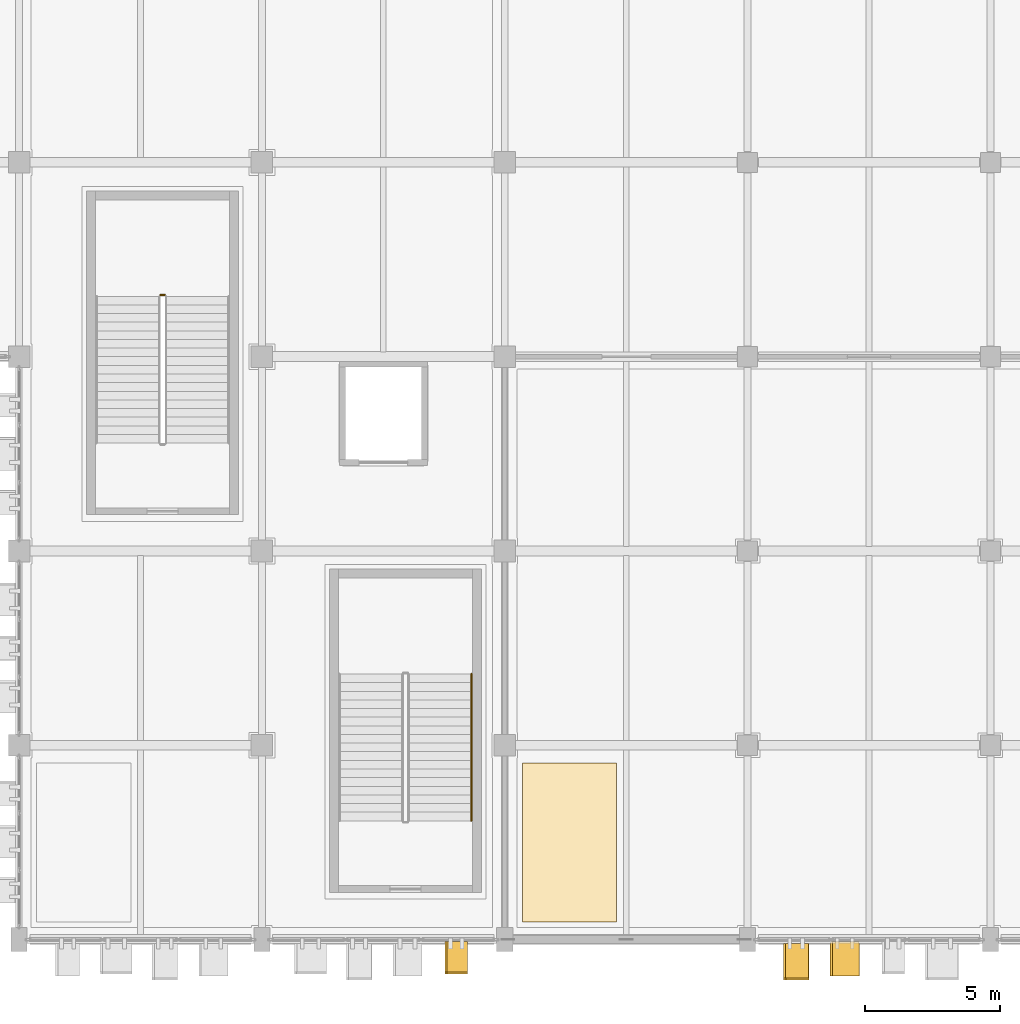
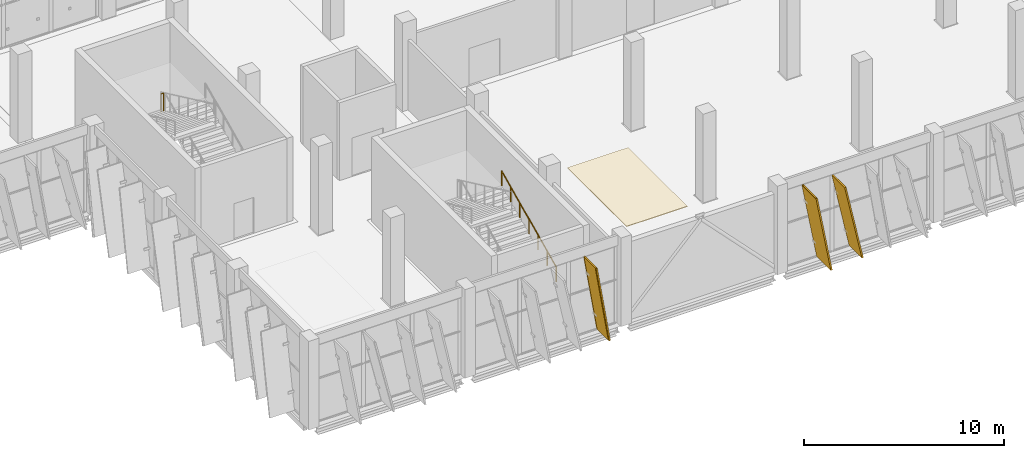
# One storey, part 117 of 137: 4 coverings, 3 shading devices, 2 railings.
"""IFC4 building model written with IfcOpenShell, lengths in metres."""

from ifc_helpers import new_model, si_unit, direction, frame, origin, origin_2d, place, context, subcontext, project, spatial, polyline, rectangle, circle, outline, extrude, material, layer, layer_set, material_profile, profile_set, type_object, element, save


model = new_model("IFC4")

# Units and contexts
model_context = context("Model", 3, precision=1e-05, world=origin(), true_north=direction((0.0, 1.0)))
body_context = subcontext(model_context, "Body", "Model", "MODEL_VIEW")
ifc_project = project(units=[si_unit("LENGTHUNIT", "METRE"), si_unit("AREAUNIT", "SQUARE_METRE"), si_unit("VOLUMEUNIT", "CUBIC_METRE"), si_unit("PLANEANGLEUNIT", "RADIAN"), si_unit("MASSUNIT", "GRAM", prefix="KILO")], contexts=[model_context])

# Site, building, storey
site_placement = place(None, origin())
site = spatial("IfcSite", under=ifc_project, at=site_placement, CompositionType="ELEMENT")
building_placement = place(site_placement, origin())
building = spatial("IfcBuilding", under=site, at=building_placement, Name="Celestram Park Convention Centre", CompositionType="ELEMENT")
storey_placement = place(building_placement, origin())
storey = spatial("IfcBuildingStorey", under=building, at=storey_placement, Name="L00", CompositionType="ELEMENT", Elevation=0.0)

# Coverings
ifc_material_1 = material(Name="Perforated Acoustic Mineral-Fibre Baffle Ceiling", Category="gypsum")
ifc_layer_1 = layer(ifc_material_1, 0.0400390625)
ifc_layer_set_1 = layer_set([ifc_layer_1], Name="Perforated Acoustic Mineral-Fibre Baffle Ceiling")
covering_type_1 = type_object("IfcCoveringType", Name="ARC-COV-CLG040", PredefinedType="CEILING", material=ifc_layer_set_1)
covering_1_placement = place(storey_placement, frame((0.0, 0.0, 5.080078125)))
element("IfcCovering", 1, at=covering_1_placement, inside=storey, type_object=covering_type_1, Name="Civic Symposium Hall S1 acoustic baffle ceiling", PredefinedType="CEILING", context=body_context, shape_type="SweptSolid", body=[
    extrude(outline(polyline([(162.64990234375, 0.64990234375), (166.14990234375, 0.64990234375), (166.14990234375, 6.550048828125), (162.64990234375, 6.550048828125), (162.64990234375, 0.64990234375)])), origin(), (0.0, 0.0, 1.0), 0.0400390625),
])
ifc_material_2 = material(Name="Timber-Toned Anodised Aluminium Alloy 6063-T6", Category="wood")
ifc_material_profile_1 = material_profile(ifc_material_2, rectangle(XDim=1.1201171875, YDim=0.090087890625, at=origin_2d()), Name="REED1120X90")
ifc_profile_set_1 = profile_set([ifc_material_profile_1], Name="Timber-Toned Anodised Aluminium Alloy 6063-T6")
covering_type_2 = type_object("IfcCoveringType", Name="ARC-COV-FIN1120", PredefinedType="CLADDING", material=ifc_profile_set_1)
covering_2_placement = place(storey_placement, frame((160.57861328125, -0.639892578125, 0.035400390625), z_axis=(-0.159875708608, 0.0, 0.987137152475), x_axis=(0.0, -1.0, 0.0)))
element("IfcCovering", 2, at=covering_2_placement, inside=storey, type_object=covering_type_2, Name="Leaning timber-toned reed fin RFN-L00-0103", PredefinedType="CLADDING", context=body_context, shape_type="SweptSolid", body=[
    extrude(rectangle(XDim=1.1201171875, YDim=0.090087890625, at=origin_2d()), origin(), (0.0, 0.0, 1.0), 4.737060546875),
])
ifc_material_profile_2 = material_profile(ifc_material_2, rectangle(XDim=1.280029296875, YDim=0.090087890625, at=origin_2d()), Name="REED1280X90")
ifc_profile_set_2 = profile_set([ifc_material_profile_2], Name="Timber-Toned Anodised Aluminium Alloy 6063-T6")
covering_type_3 = type_object("IfcCoveringType", Name="ARC-COV-FIN1280", PredefinedType="CLADDING", material=ifc_profile_set_2)
covering_3_placement = place(storey_placement, frame((175.096435546875, -0.719970703125, 0.0576171875), z_axis=(-0.209606521321, 0.0, 0.977785818173), x_axis=(0.0, -1.0, 0.0)))
element("IfcCovering", 3, at=covering_3_placement, inside=storey, type_object=covering_type_3, Name="Leaning timber-toned reed fin RFN-L00-0101", PredefinedType="CLADDING", context=body_context, shape_type="SweptSolid", body=[
    extrude(rectangle(XDim=1.280029296875, YDim=0.090087890625, at=origin_2d()), origin(), (0.0, 0.0, 1.0), 4.737060546875),
])
ifc_material_profile_3 = material_profile(ifc_material_2, rectangle(XDim=1.419921875, YDim=0.090087890625, at=origin_2d()), Name="REED1420X90")
ifc_profile_set_3 = profile_set([ifc_material_profile_3], Name="Timber-Toned Anodised Aluminium Alloy 6063-T6")
covering_type_4 = type_object("IfcCoveringType", Name="ARC-COV-FIN1420", PredefinedType="CLADDING", material=ifc_profile_set_3)
covering_4_placement = place(storey_placement, frame((173.2275390625, -0.7900390625, 0.0439453125), z_axis=(-0.180540613043, 0.0, 0.983567530494), x_axis=(0.0, -1.0, 0.0)))
element("IfcCovering", 4, at=covering_4_placement, inside=storey, type_object=covering_type_4, Name="Leaning timber-toned reed fin RFN-L00-0102", PredefinedType="CLADDING", context=body_context, shape_type="SweptSolid", body=[
    extrude(rectangle(XDim=1.419921875, YDim=0.090087890625, at=origin_2d()), origin(), (0.0, 0.0, 1.0), 4.737060546875),
])

# Shading devices
ifc_material_3 = material(Name="Anodised Bronze Aluminium Alloy 6063-T6", Category="aluminium")
ifc_material_profile_4 = material_profile(ifc_material_3, rectangle(XDim=1.280029296875, YDim=0.080078125, at=origin_2d()), Name="FIN1280X80")
ifc_profile_set_4 = profile_set([ifc_material_profile_4], Name="Anodised Bronze Aluminium Alloy 6063-T6")
shading_device_type = type_object("IfcShadingDeviceType", Name="ARC-FIN-BZ1280", PredefinedType="USERDEFINED", material=ifc_profile_set_4)
for number, where, z_axis, x_axis, name in (
    (5, (175.096435546875, -0.719970703125, 0.0576171875), (-0.209606521321, 0.0, 0.977785818173), (0.0, -1.0, 0.0), "Expressive solar fin FN-L00-0101"),
    (6, (173.2275390625, -0.7900390625, 0.0439453125), (-0.180540613043, 0.0, 0.983567530494), (0.0, -1.0, 0.0), "Expressive solar fin FN-L00-0102"),
    (7, (160.57861328125, -0.639892578125, 0.035400390625), (-0.159875708608, 0.0, 0.987137152475), (0.0, -1.0, 0.0), "Expressive solar fin FN-L00-0103"),
):
    element("IfcShadingDevice", number, at=place(storey_placement, frame(where, z_axis=z_axis, x_axis=x_axis)), inside=storey, type_object=shading_device_type, Name=name, ObjectType="SOLAR_FIN", PredefinedType="USERDEFINED", context=body_context, shape_type="SweptSolid", body=[
        extrude(rectangle(XDim=1.280029296875, YDim=0.080078125, at=origin_2d()), origin(), (0.0, 0.0, 1.0), 4.737060546875),
    ])

# Railings
ifc_material_4 = material(Name="Stainless Steel AISI 316L & Laminated Glass", Category="steel")
ifc_layer_2 = layer(ifc_material_4, 0.06005859375)
ifc_layer_set_2 = layer_set([ifc_layer_2], Name="Stainless Steel AISI 316L & Laminated Glass")
railing_type_1 = type_object("IfcRailingType", Name="ARC-RL-GRD1120", PredefinedType="GUARDRAIL", material=ifc_layer_set_2)
railing_1_placement = place(storey_placement, frame((149.39990234375, 23.889892578125, 2.699951171875)))
element("IfcRailing", 8, at=railing_1_placement, inside=storey, type_object=railing_type_1, Name="L00 ST-06 stair guard 2", PredefinedType="GUARDRAIL", context=body_context, shape_type="SweptSolid", body=[
    extrude(circle(Radius=0.02392578125, at=origin_2d()), frame((0.0, 0.0, 1.09619140625), z_axis=(-1.0, 0.0, 0.0), x_axis=(0.0, -1.0, 0.0)), (0.0, 0.0, 1.0), 0.159912109375),
    extrude(circle(Radius=0.02099609375, at=origin_2d()), origin(), (0.0, 0.0, 1.0), 1.072021484375),
    extrude(circle(Radius=0.02099609375, at=origin_2d()), frame((-0.159912109375, 0.0, 0.0)), (0.0, 0.0, 1.0), 1.072021484375),
])
ifc_material_5 = material(Name="Brushed Stainless Steel AISI 304", Category="steel")
ifc_layer_3 = layer(ifc_material_5, 0.048095703125)
ifc_layer_set_3 = layer_set([ifc_layer_3], Name="Brushed Stainless Steel AISI 304")
railing_type_2 = type_object("IfcRailingType", Name="ARC-RL-HND915", PredefinedType="HANDRAIL", material=ifc_layer_set_3)
railing_2_placement = place(storey_placement, frame((160.763916015625, 4.39990234375, 0.14990234375)))
element("IfcRailing", 9, at=railing_2_placement, inside=storey, type_object=railing_type_2, Name="L00 ST-21 stair handrail 1", PredefinedType="HANDRAIL", context=body_context, shape_type="SweptSolid", body=[
    extrude(circle(Radius=0.02392578125, at=origin_2d()), frame((0.0, 0.0, 0.8759765625), z_axis=(0.0, 0.905461375974, 0.424428670827), x_axis=(-1.0, 0.0, 0.0)), (0.0, 0.0, 1.0), 6.00830078125),
    extrude(circle(Radius=0.02099609375, at=origin_2d()), origin(), (0.0, 0.0, 1.0), 0.851806640625),
    extrude(circle(Radius=0.02099609375, at=origin_2d()), frame((0.0, 0.90673828125, 0.425048828125)), (0.0, 0.0, 1.0), 0.851806640625),
    extrude(circle(Radius=0.02099609375, at=origin_2d()), frame((0.0, 1.8134765625, 0.85009765625)), (0.0, 0.0, 1.0), 0.851806640625),
    extrude(circle(Radius=0.02099609375, at=origin_2d()), frame((0.0, 2.72021484375, 1.27490234375)), (0.0, 0.0, 1.0), 0.851806640625),
    extrude(circle(Radius=0.02099609375, at=origin_2d()), frame((0.0, 3.626708984375, 1.699951171875)), (0.0, 0.0, 1.0), 0.851806640625),
    extrude(circle(Radius=0.02099609375, at=origin_2d()), frame((0.0, 4.533447265625, 2.125)), (0.0, 0.0, 1.0), 0.851806640625),
    extrude(circle(Radius=0.02099609375, at=origin_2d()), frame((0.0, 5.440185546875, 2.550048828125)), (0.0, 0.0, 1.0), 0.851806640625),
])

save(model, "model.ifc")
